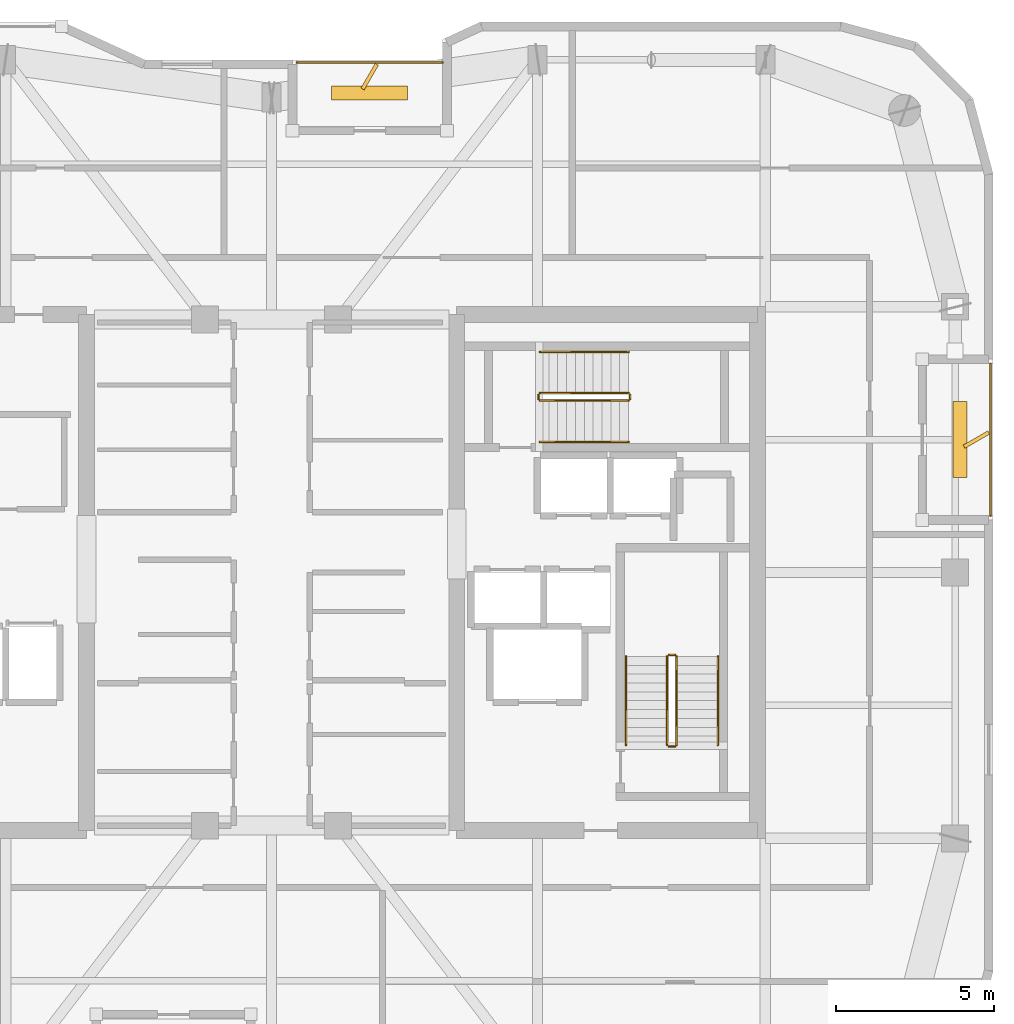
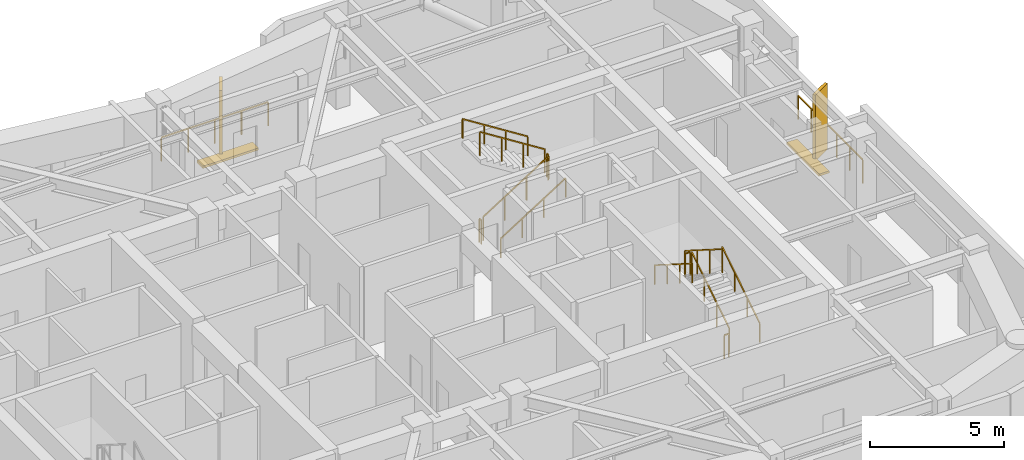
# One storey, part 16 of 16: 14 railings, 4 shading devices.
"""IFC4 building model written with IfcOpenShell, lengths in metres."""

from ifc_helpers import new_model, si_unit, direction, frame, origin, origin_2d, place, context, subcontext, project, spatial, rectangle, extrude, material, type_object, element, save


model = new_model("IFC4")

# Units and contexts
model_context = context("Model", 3, precision=1e-05, world=origin(), true_north=direction((0.0, 1.0)))
body_context = subcontext(model_context, "Body", "Model", "MODEL_VIEW")
ifc_project = project(units=[si_unit("LENGTHUNIT", "METRE"), si_unit("AREAUNIT", "SQUARE_METRE"), si_unit("VOLUMEUNIT", "CUBIC_METRE"), si_unit("PLANEANGLEUNIT", "RADIAN"), si_unit("MASSUNIT", "GRAM", prefix="KILO")], contexts=[model_context])

# Site, building, storey
site_placement = place(None, origin())
site = spatial("IfcSite", under=ifc_project, at=site_placement, CompositionType="ELEMENT")
building_placement = place(site_placement, origin())
building = spatial("IfcBuilding", under=site, at=building_placement, Name="Kiyonajd Concourse Tower", CompositionType="ELEMENT")
storey_placement = place(building_placement, frame((0.0, 0.0, 329.699951171875)))
storey = spatial("IfcBuildingStorey", under=building, at=storey_placement, Name="L83", CompositionType="ELEMENT", Elevation=329.699951171875)

# Railings
ifc_material_1 = material(Name="Thermally Broken Anodised Aluminium", Category="aluminium")
railing_type_1 = type_object("IfcRailingType", Name="RL-GRD-LOG", PredefinedType="GUARDRAIL", material=ifc_material_1)
railing_1_placement = place(storey_placement, frame((53.39990234375, 52.1201171875, 0.0)))
element("IfcRailing", 1, at=railing_1_placement, inside=storey, type_object=railing_type_1, Name="L83 Engawa Loggia Perimeter Guard LOG-N", PredefinedType="GUARDRAIL", context=body_context, shape_type="SweptSolid", body=[
    extrude(rectangle(XDim=0.048095703125, YDim=0.048095703125, at=origin_2d()), frame((0.0, 0.0, 1.076171875), z_axis=(-1.0, 0.0, 0.0), x_axis=(0.0, -1.0, 0.0)), (0.0, 0.0, 1.0), 4.599853515625),
    extrude(rectangle(XDim=0.0419921875, YDim=0.0419921875, at=origin_2d()), origin(), (0.0, 0.0, 1.0), 1.052001953125),
    extrude(rectangle(XDim=0.0419921875, YDim=0.0419921875, at=origin_2d()), frame((-1.14990234375, 0.0, 0.0)), (0.0, 0.0, 1.0), 1.052001953125),
    extrude(rectangle(XDim=0.0419921875, YDim=0.0419921875, at=origin_2d()), frame((-2.2998046875, 0.0, 0.0)), (0.0, 0.0, 1.0), 1.052001953125),
    extrude(rectangle(XDim=0.0419921875, YDim=0.0419921875, at=origin_2d()), frame((-3.449951171875, 0.0, 0.0)), (0.0, 0.0, 1.0), 1.052001953125),
    extrude(rectangle(XDim=0.0419921875, YDim=0.0419921875, at=origin_2d()), frame((-4.599853515625, 0.0, 0.0)), (0.0, 0.0, 1.0), 1.052001953125),
])
railing_2_placement = place(storey_placement, frame((70.719970703125, 37.800048828125, 0.0)))
element("IfcRailing", 2, at=railing_2_placement, inside=storey, type_object=railing_type_1, Name="L83 Engawa Loggia Perimeter Guard LOG-E", PredefinedType="GUARDRAIL", context=body_context, shape_type="SweptSolid", body=[
    extrude(rectangle(XDim=0.048095703125, YDim=0.048095703125, at=origin_2d()), frame((0.0, 0.0, 1.076171875), z_axis=(0.0, 1.0, 0.0), x_axis=(-1.0, 0.0, 0.0)), (0.0, 0.0, 1.0), 4.800048828125),
    extrude(rectangle(XDim=0.0419921875, YDim=0.0419921875, at=origin_2d()), origin(), (0.0, 0.0, 1.0), 1.052001953125),
    extrude(rectangle(XDim=0.0419921875, YDim=0.0419921875, at=origin_2d()), frame((0.0, 0.9599609375, 0.0)), (0.0, 0.0, 1.0), 1.052001953125),
    extrude(rectangle(XDim=0.0419921875, YDim=0.0419921875, at=origin_2d()), frame((0.0, 1.919921875, 0.0)), (0.0, 0.0, 1.0), 1.052001953125),
    extrude(rectangle(XDim=0.0419921875, YDim=0.0419921875, at=origin_2d()), frame((0.0, 2.880126953125, 0.0)), (0.0, 0.0, 1.0), 1.052001953125),
    extrude(rectangle(XDim=0.0419921875, YDim=0.0419921875, at=origin_2d()), frame((0.0, 3.840087890625, 0.0)), (0.0, 0.0, 1.0), 1.052001953125),
    extrude(rectangle(XDim=0.0419921875, YDim=0.0419921875, at=origin_2d()), frame((0.0, 4.800048828125, 0.0)), (0.0, 0.0, 1.0), 1.052001953125),
])
ifc_material_2 = material(Name="Steel ASTM A500 Grade C", Category="steel")
railing_type_2 = type_object("IfcRailingType", Name="RL-GRD-STR", PredefinedType="GUARDRAIL", material=ifc_material_2)
railing_3_placement = place(storey_placement, frame((60.800048828125, 30.550048828125, 0.17724609375)))
element("IfcRailing", 3, at=railing_3_placement, inside=storey, type_object=railing_type_2, Name="L83 ST2 stair guard 1", PredefinedType="GUARDRAIL", context=body_context, shape_type="SweptSolid", body=[
    extrude(rectangle(XDim=0.048095703125, YDim=0.048095703125, at=origin_2d()), frame((0.0, 0.0, 1.076171875), z_axis=(0.0, 0.844908973607, 0.534910110503), x_axis=(-1.0, 0.0, 0.0)), (0.0, 0.0, 1.0), 3.31396484375),
    extrude(rectangle(XDim=0.0419921875, YDim=0.0419921875, at=origin_2d()), origin(), (0.0, 0.0, 1.0), 1.052001953125),
    extrude(rectangle(XDim=0.0419921875, YDim=0.0419921875, at=origin_2d()), frame((0.0, 0.933349609375, 0.5908203125)), (0.0, 0.0, 1.0), 1.052001953125),
    extrude(rectangle(XDim=0.0419921875, YDim=0.0419921875, at=origin_2d()), frame((0.0, 1.86669921875, 1.181884765625)), (0.0, 0.0, 1.0), 1.052001953125),
    extrude(rectangle(XDim=0.0419921875, YDim=0.0419921875, at=origin_2d()), frame((0.0, 2.800048828125, 1.772705078125)), (0.0, 0.0, 1.0), 1.052001953125),
])
railing_4_placement = place(storey_placement, frame((60.75, 33.39990234375, 1.949951171875)))
element("IfcRailing", 4, at=railing_4_placement, inside=storey, type_object=railing_type_2, Name="L83 ST2 stair guard 2", PredefinedType="GUARDRAIL", context=body_context, shape_type="SweptSolid", body=[
    extrude(rectangle(XDim=0.048095703125, YDim=0.048095703125, at=origin_2d()), frame((0.0, 0.0, 1.076171875), z_axis=(-1.0, 0.0, 0.0), x_axis=(0.0, -1.0, 0.0)), (0.0, 0.0, 1.0), 0.199951171875),
    extrude(rectangle(XDim=0.0419921875, YDim=0.0419921875, at=origin_2d()), origin(), (0.0, 0.0, 1.0), 1.052001953125),
    extrude(rectangle(XDim=0.0419921875, YDim=0.0419921875, at=origin_2d()), frame((-0.199951171875, 0.0, 0.0)), (0.0, 0.0, 1.0), 1.052001953125),
])
railing_5_placement = place(storey_placement, frame((60.5, 33.35009765625, 2.12744140625)))
element("IfcRailing", 5, at=railing_5_placement, inside=storey, type_object=railing_type_2, Name="L83 ST2 stair guard 3", PredefinedType="GUARDRAIL", context=body_context, shape_type="SweptSolid", body=[
    extrude(rectangle(XDim=0.048095703125, YDim=0.048095703125, at=origin_2d()), frame((0.0, 0.0, 1.076171875), z_axis=(0.0, -0.844908973607, 0.534910110503), x_axis=(1.0, 0.0, 0.0)), (0.0, 0.0, 1.0), 3.31396484375),
    extrude(rectangle(XDim=0.0419921875, YDim=0.0419921875, at=origin_2d()), origin(), (0.0, 0.0, 1.0), 1.052001953125),
    extrude(rectangle(XDim=0.0419921875, YDim=0.0419921875, at=origin_2d()), frame((0.0, -0.933349609375, 0.5908203125)), (0.0, 0.0, 1.0), 1.052001953125),
    extrude(rectangle(XDim=0.0419921875, YDim=0.0419921875, at=origin_2d()), frame((0.0, -1.86669921875, 1.181884765625)), (0.0, 0.0, 1.0), 1.052001953125),
    extrude(rectangle(XDim=0.0419921875, YDim=0.0419921875, at=origin_2d()), frame((0.0, -2.800048828125, 1.772705078125)), (0.0, 0.0, 1.0), 1.052001953125),
])
railing_6_placement = place(storey_placement, frame((60.75, 30.5, 0.0)))
element("IfcRailing", 6, at=railing_6_placement, inside=storey, type_object=railing_type_2, Name="L83 ST2 stair guard 4", PredefinedType="GUARDRAIL", context=body_context, shape_type="SweptSolid", body=[
    extrude(rectangle(XDim=0.048095703125, YDim=0.048095703125, at=origin_2d()), frame((0.0, 0.0, 1.076171875), z_axis=(-1.0, 0.0, 0.0), x_axis=(0.0, -1.0, 0.0)), (0.0, 0.0, 1.0), 0.199951171875),
    extrude(rectangle(XDim=0.0419921875, YDim=0.0419921875, at=origin_2d()), origin(), (0.0, 0.0, 1.0), 1.052001953125),
    extrude(rectangle(XDim=0.0419921875, YDim=0.0419921875, at=origin_2d()), frame((-0.199951171875, 0.0, 0.0)), (0.0, 0.0, 1.0), 1.052001953125),
])
railing_7_placement = place(storey_placement, frame((56.47998046875, 41.429931640625, 0.17724609375)))
element("IfcRailing", 7, at=railing_7_placement, inside=storey, type_object=railing_type_2, Name="L83 ST3 stair guard 1", PredefinedType="GUARDRAIL", context=body_context, shape_type="SweptSolid", body=[
    extrude(rectangle(XDim=0.048095703125, YDim=0.048095703125, at=origin_2d()), frame((0.0, 0.0, 1.076171875), z_axis=(0.844908973607, 0.0, 0.534910110503), x_axis=(0.0, 1.0, 0.0)), (0.0, 0.0, 1.0), 3.31396484375),
    extrude(rectangle(XDim=0.0419921875, YDim=0.0419921875, at=origin_2d()), origin(), (0.0, 0.0, 1.0), 1.052001953125),
    extrude(rectangle(XDim=0.0419921875, YDim=0.0419921875, at=origin_2d()), frame((0.933349609375, 0.0, 0.5908203125)), (0.0, 0.0, 1.0), 1.052001953125),
    extrude(rectangle(XDim=0.0419921875, YDim=0.0419921875, at=origin_2d()), frame((1.86669921875, 0.0, 1.181884765625)), (0.0, 0.0, 1.0), 1.052001953125),
    extrude(rectangle(XDim=0.0419921875, YDim=0.0419921875, at=origin_2d()), frame((2.800048828125, 0.0, 1.772705078125)), (0.0, 0.0, 1.0), 1.052001953125),
])
railing_8_placement = place(storey_placement, frame((59.330078125, 41.47998046875, 1.949951171875)))
element("IfcRailing", 8, at=railing_8_placement, inside=storey, type_object=railing_type_2, Name="L83 ST3 stair guard 2", PredefinedType="GUARDRAIL", context=body_context, shape_type="SweptSolid", body=[
    extrude(rectangle(XDim=0.048095703125, YDim=0.048095703125, at=origin_2d()), frame((0.0, 0.0, 1.076171875), z_axis=(0.0, 1.0, 0.0), x_axis=(-1.0, 0.0, 0.0)), (0.0, 0.0, 1.0), 0.14013671875),
    extrude(rectangle(XDim=0.0419921875, YDim=0.0419921875, at=origin_2d()), origin(), (0.0, 0.0, 1.0), 1.052001953125),
    extrude(rectangle(XDim=0.0419921875, YDim=0.0419921875, at=origin_2d()), frame((0.0, 0.14013671875, 0.0)), (0.0, 0.0, 1.0), 1.052001953125),
])
railing_9_placement = place(storey_placement, frame((59.280029296875, 41.669921875, 2.12744140625)))
element("IfcRailing", 9, at=railing_9_placement, inside=storey, type_object=railing_type_2, Name="L83 ST3 stair guard 3", PredefinedType="GUARDRAIL", context=body_context, shape_type="SweptSolid", body=[
    extrude(rectangle(XDim=0.048095703125, YDim=0.048095703125, at=origin_2d()), frame((0.0, 0.0, 1.076171875), z_axis=(-0.844908973607, 0.0, 0.534910110503), x_axis=(0.0, -1.0, 0.0)), (0.0, 0.0, 1.0), 3.31396484375),
    extrude(rectangle(XDim=0.0419921875, YDim=0.0419921875, at=origin_2d()), origin(), (0.0, 0.0, 1.0), 1.052001953125),
    extrude(rectangle(XDim=0.0419921875, YDim=0.0419921875, at=origin_2d()), frame((-0.933349609375, 0.0, 0.5908203125)), (0.0, 0.0, 1.0), 1.052001953125),
    extrude(rectangle(XDim=0.0419921875, YDim=0.0419921875, at=origin_2d()), frame((-1.86669921875, 0.0, 1.181884765625)), (0.0, 0.0, 1.0), 1.052001953125),
    extrude(rectangle(XDim=0.0419921875, YDim=0.0419921875, at=origin_2d()), frame((-2.800048828125, 0.0, 1.772705078125)), (0.0, 0.0, 1.0), 1.052001953125),
])
railing_10_placement = place(storey_placement, frame((56.429931640625, 41.47998046875, 0.0)))
element("IfcRailing", 10, at=railing_10_placement, inside=storey, type_object=railing_type_2, Name="L83 ST3 stair guard 4", PredefinedType="GUARDRAIL", context=body_context, shape_type="SweptSolid", body=[
    extrude(rectangle(XDim=0.048095703125, YDim=0.048095703125, at=origin_2d()), frame((0.0, 0.0, 1.076171875), z_axis=(0.0, 1.0, 0.0), x_axis=(-1.0, 0.0, 0.0)), (0.0, 0.0, 1.0), 0.14013671875),
    extrude(rectangle(XDim=0.0419921875, YDim=0.0419921875, at=origin_2d()), origin(), (0.0, 0.0, 1.0), 1.052001953125),
    extrude(rectangle(XDim=0.0419921875, YDim=0.0419921875, at=origin_2d()), frame((0.0, 0.14013671875, 0.0)), (0.0, 0.0, 1.0), 1.052001953125),
])
ifc_material_3 = material(Name="Brushed Stainless Steel Cab Assembly", Category="steel")
railing_type_3 = type_object("IfcRailingType", Name="RL-HND-900", PredefinedType="HANDRAIL", material=ifc_material_3)
railing_11_placement = place(storey_placement, frame((62.10009765625, 30.550048828125, 0.17724609375)))
element("IfcRailing", 11, at=railing_11_placement, inside=storey, type_object=railing_type_3, Name="L83 ST2 stair handrail 1", PredefinedType="HANDRAIL", context=body_context, shape_type="SweptSolid", body=[
    extrude(rectangle(XDim=0.048095703125, YDim=0.048095703125, at=origin_2d()), frame((0.0, 0.0, 0.8759765625), z_axis=(0.0, 0.844908973607, 0.534910110503), x_axis=(-1.0, 0.0, 0.0)), (0.0, 0.0, 1.0), 3.31396484375),
    extrude(rectangle(XDim=0.0419921875, YDim=0.0419921875, at=origin_2d()), origin(), (0.0, 0.0, 1.0), 0.851806640625),
    extrude(rectangle(XDim=0.0419921875, YDim=0.0419921875, at=origin_2d()), frame((0.0, 0.933349609375, 0.5908203125)), (0.0, 0.0, 1.0), 0.851806640625),
    extrude(rectangle(XDim=0.0419921875, YDim=0.0419921875, at=origin_2d()), frame((0.0, 1.86669921875, 1.181884765625)), (0.0, 0.0, 1.0), 0.851806640625),
    extrude(rectangle(XDim=0.0419921875, YDim=0.0419921875, at=origin_2d()), frame((0.0, 2.800048828125, 1.772705078125)), (0.0, 0.0, 1.0), 0.851806640625),
])
railing_12_placement = place(storey_placement, frame((59.199951171875, 33.35009765625, 2.12744140625)))
element("IfcRailing", 12, at=railing_12_placement, inside=storey, type_object=railing_type_3, Name="L83 ST2 stair handrail 2", PredefinedType="HANDRAIL", context=body_context, shape_type="SweptSolid", body=[
    extrude(rectangle(XDim=0.048095703125, YDim=0.048095703125, at=origin_2d()), frame((0.0, 0.0, 0.8759765625), z_axis=(0.0, -0.844908973607, 0.534910110503), x_axis=(1.0, 0.0, 0.0)), (0.0, 0.0, 1.0), 3.31396484375),
    extrude(rectangle(XDim=0.0419921875, YDim=0.0419921875, at=origin_2d()), origin(), (0.0, 0.0, 1.0), 0.851806640625),
    extrude(rectangle(XDim=0.0419921875, YDim=0.0419921875, at=origin_2d()), frame((0.0, -0.933349609375, 0.5908203125)), (0.0, 0.0, 1.0), 0.851806640625),
    extrude(rectangle(XDim=0.0419921875, YDim=0.0419921875, at=origin_2d()), frame((0.0, -1.86669921875, 1.181884765625)), (0.0, 0.0, 1.0), 0.851806640625),
    extrude(rectangle(XDim=0.0419921875, YDim=0.0419921875, at=origin_2d()), frame((0.0, -2.800048828125, 1.772705078125)), (0.0, 0.0, 1.0), 0.851806640625),
])
railing_13_placement = place(storey_placement, frame((56.47998046875, 40.1298828125, 0.17724609375)))
element("IfcRailing", 13, at=railing_13_placement, inside=storey, type_object=railing_type_3, Name="L83 ST3 stair handrail 1", PredefinedType="HANDRAIL", context=body_context, shape_type="SweptSolid", body=[
    extrude(rectangle(XDim=0.048095703125, YDim=0.048095703125, at=origin_2d()), frame((0.0, 0.0, 0.8759765625), z_axis=(0.844908973607, 0.0, 0.534910110503), x_axis=(0.0, 1.0, 0.0)), (0.0, 0.0, 1.0), 3.31396484375),
    extrude(rectangle(XDim=0.0419921875, YDim=0.0419921875, at=origin_2d()), origin(), (0.0, 0.0, 1.0), 0.851806640625),
    extrude(rectangle(XDim=0.0419921875, YDim=0.0419921875, at=origin_2d()), frame((0.933349609375, 0.0, 0.5908203125)), (0.0, 0.0, 1.0), 0.851806640625),
    extrude(rectangle(XDim=0.0419921875, YDim=0.0419921875, at=origin_2d()), frame((1.86669921875, 0.0, 1.181884765625)), (0.0, 0.0, 1.0), 0.851806640625),
    extrude(rectangle(XDim=0.0419921875, YDim=0.0419921875, at=origin_2d()), frame((2.800048828125, 0.0, 1.772705078125)), (0.0, 0.0, 1.0), 0.851806640625),
])
railing_14_placement = place(storey_placement, frame((59.280029296875, 42.969970703125, 2.12744140625)))
element("IfcRailing", 14, at=railing_14_placement, inside=storey, type_object=railing_type_3, Name="L83 ST3 stair handrail 2", PredefinedType="HANDRAIL", context=body_context, shape_type="SweptSolid", body=[
    extrude(rectangle(XDim=0.048095703125, YDim=0.048095703125, at=origin_2d()), frame((0.0, 0.0, 0.8759765625), z_axis=(-0.844908973607, 0.0, 0.534910110503), x_axis=(0.0, -1.0, 0.0)), (0.0, 0.0, 1.0), 3.31396484375),
    extrude(rectangle(XDim=0.0419921875, YDim=0.0419921875, at=origin_2d()), origin(), (0.0, 0.0, 1.0), 0.851806640625),
    extrude(rectangle(XDim=0.0419921875, YDim=0.0419921875, at=origin_2d()), frame((-0.933349609375, 0.0, 0.5908203125)), (0.0, 0.0, 1.0), 0.851806640625),
    extrude(rectangle(XDim=0.0419921875, YDim=0.0419921875, at=origin_2d()), frame((-1.86669921875, 0.0, 1.181884765625)), (0.0, 0.0, 1.0), 0.851806640625),
    extrude(rectangle(XDim=0.0419921875, YDim=0.0419921875, at=origin_2d()), frame((-2.800048828125, 0.0, 1.772705078125)), (0.0, 0.0, 1.0), 0.851806640625),
])

# Shading devices
ifc_material_4 = material(Name="Precast concrete C50/60", Category="concrete")
shading_device_type_1 = type_object("IfcShadingDeviceType", Name="SH-FIN-900", PredefinedType="USERDEFINED", material=ifc_material_4)
for number, where, z_axis, x_axis, name in (
    (15, (51.10009765625, 51.669921875, 0.0), (0.0, 0.0, 1.0), (0.5, 0.866025403784, 0.0), "L83 Angled Koshi Solar Fin LOG-N"),
    (16, (70.27001953125, 40.199951171875, 0.0), (0.0, 0.0, 1.0), (0.866025403784, 0.5, 0.0), "L83 Angled Koshi Solar Fin LOG-E"),
):
    element("IfcShadingDevice", number, at=place(storey_placement, frame(where, z_axis=z_axis, x_axis=x_axis)), inside=storey, type_object=shading_device_type_1, Name=name, ObjectType="FIN", PredefinedType="USERDEFINED", context=body_context, shape_type="SweptSolid", body=[
        extrude(rectangle(XDim=0.89990234375, YDim=0.1201171875, at=origin_2d()), origin(), (0.0, 0.0, 1.0), 3.0),
    ])
shading_device_type_2 = type_object("IfcShadingDeviceType", Name="SH-LVR-600", PredefinedType="JALOUSIE", material=ifc_material_1)
for number, where, z_axis, x_axis, name in (
    (17, (51.10009765625, 51.14990234375, 0.0), (0.0, 0.0, 1.0), (1.0, 0.0, 0.0), "L83 Loggia Threshold Louver LOG-N"),
    (18, (69.75, 40.199951171875, 0.0), (0.0, 0.0, 1.0), (0.0, 1.0, 0.0), "L83 Loggia Threshold Louver LOG-E"),
):
    element("IfcShadingDevice", number, at=place(storey_placement, frame(where, z_axis=z_axis, x_axis=x_axis)), inside=storey, type_object=shading_device_type_2, Name=name, PredefinedType="JALOUSIE", context=body_context, shape_type="SweptSolid", body=[
        extrude(rectangle(XDim=2.39990234375, YDim=0.449951171875, at=origin_2d()), origin(), (0.0, 0.0, 1.0), 0.10009765625),
    ])

save(model, "model.ifc")
